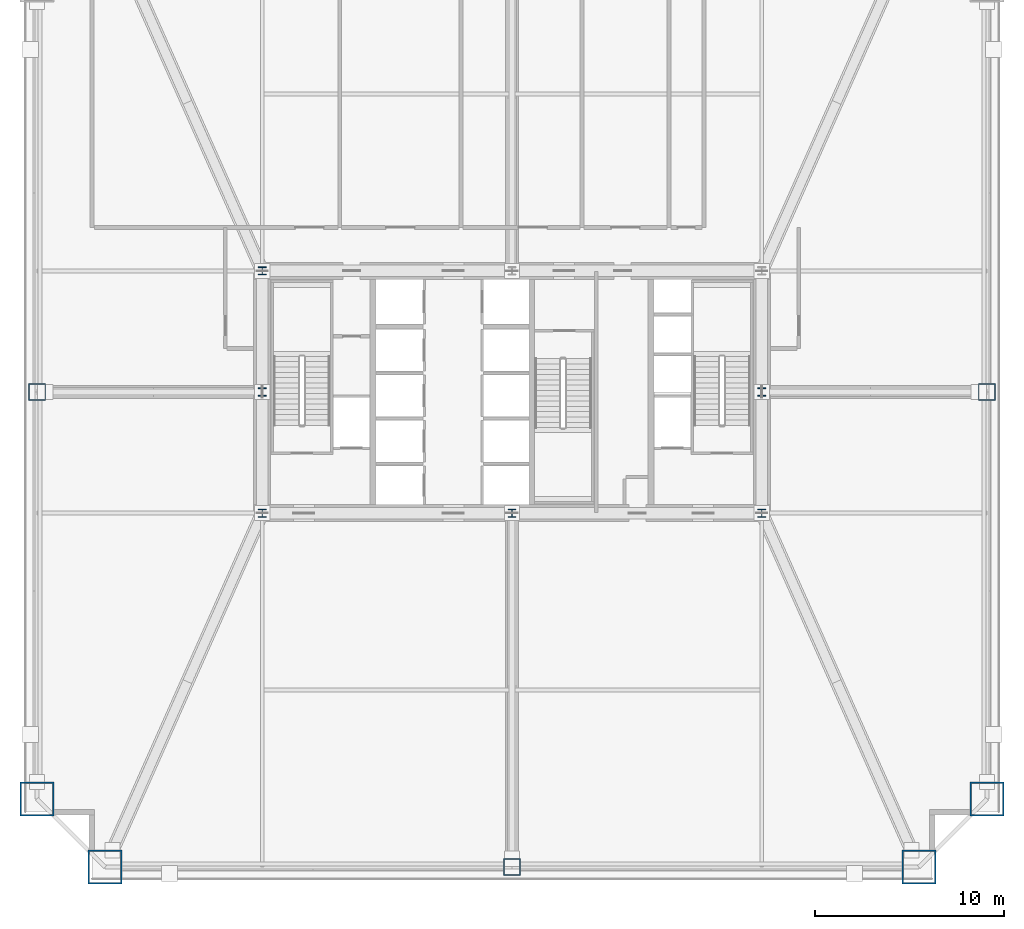
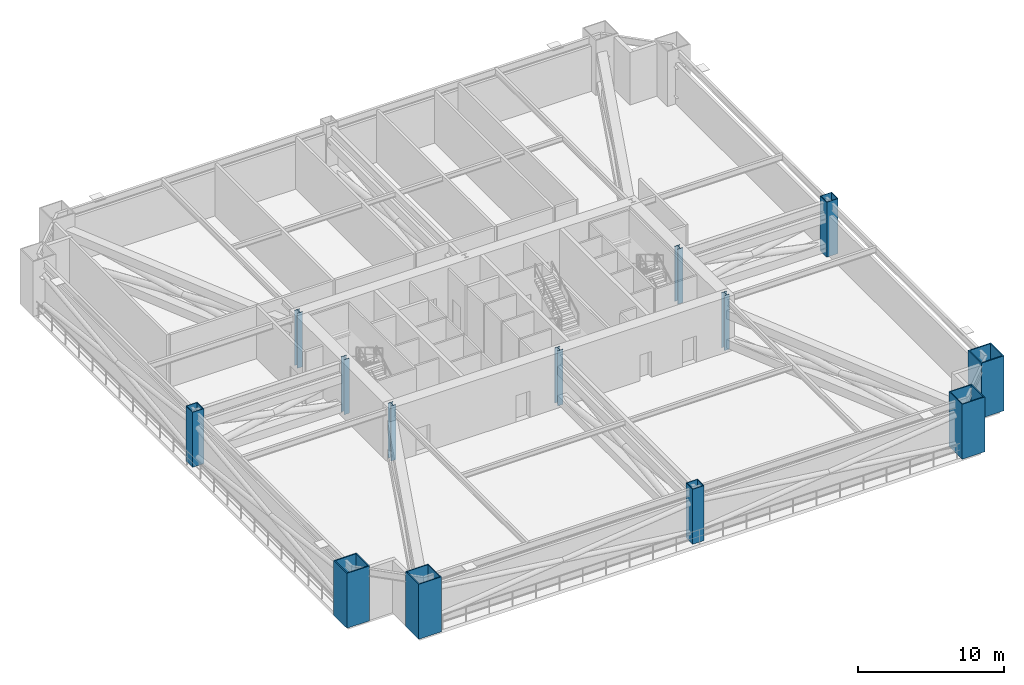
# One storey, part 1 of 11: 13 columns.
"""IFC4 building model written with IfcOpenShell, lengths in metres."""

from ifc_helpers import new_model, si_unit, direction, frame, origin, origin_2d, place, context, subcontext, project, spatial, hollow_rectangle, i_section, extrude, source, transform, mapped, material, material_profile, profile_set, type_object, element, save


model = new_model("IFC4")

# Units and contexts
model_context = context("Model", 3, precision=1e-05, world=origin(), true_north=direction((0.0, 1.0)))
body_context = subcontext(model_context, "Body", "Model", "MODEL_VIEW")
ifc_project = project(units=[si_unit("LENGTHUNIT", "METRE"), si_unit("AREAUNIT", "SQUARE_METRE"), si_unit("VOLUMEUNIT", "CUBIC_METRE"), si_unit("PLANEANGLEUNIT", "RADIAN"), si_unit("MASSUNIT", "GRAM", prefix="KILO"), si_unit("THERMODYNAMICTEMPERATUREUNIT", "KELVIN"), si_unit("POWERUNIT", "WATT")], contexts=[model_context])

# Site, building, storey
site_placement = place(None, origin())
site = spatial("IfcSite", under=ifc_project, at=site_placement, CompositionType="ELEMENT")
building_placement = place(site_placement, origin())
building = spatial("IfcBuilding", under=site, at=building_placement, Name="Yuzanri Waterfront Tower", CompositionType="ELEMENT")
storey_placement = place(building_placement, frame((0.0, 0.0, 41.39990234375)))
storey = spatial("IfcBuildingStorey", under=building, at=storey_placement, Name="L10", CompositionType="ELEMENT", Elevation=41.39990234375)

# Columns
ifc_material_1 = material(Name="Steel Q355B", Category="steel")
ifc_material_profile_1 = material_profile(ifc_material_1, i_section(OverallWidth=0.406982421875, OverallDepth=0.427978515625, WebThickness=0.02001953125, FlangeThickness=0.034912109375, at=origin_2d()), Name="HW 428x407x20x35")
ifc_profile_set_1 = profile_set([ifc_material_profile_1], Name="Steel Q355B")
column_type_1 = type_object("IfcColumnType", Name="Core Post Q355B HW 428x407x20x35", PredefinedType="COLUMN", material=ifc_profile_set_1)
shared_shape_1 = source(origin(), body_context, "Body", "SweptSolid", [
    extrude(i_section(OverallWidth=0.406982421875, OverallDepth=0.427978515625, WebThickness=0.02001953125, FlangeThickness=0.034912109375, at=origin_2d()), origin(), (0.0, 0.0, 1.0), 4.60009765625),
])
for number, where, z_axis, x_axis, name in (
    (1, (23.800048828125, 19.39990234375, 0.0), (0.0, 0.0, 1.0), (1.0, 0.0, 0.0), "L10 Core Boundary Column CP1"),
    (2, (37.0, 19.39990234375, 0.0), (0.0, 0.0, 1.0), (1.0, 0.0, 0.0), "L10 Core Boundary Column CP2"),
    (3, (50.199951171875, 19.39990234375, 0.0), (0.0, 0.0, 1.0), (1.0, 0.0, 0.0), "L10 Core Boundary Column CP3"),
    (4, (23.800048828125, 25.800048828125, 0.0), (0.0, 0.0, 1.0), (1.0, 0.0, 0.0), "L10 Core Boundary Column CP4"),
    (5, (50.199951171875, 25.800048828125, 0.0), (0.0, 0.0, 1.0), (1.0, 0.0, 0.0), "L10 Core Boundary Column CP5"),
    (6, (23.800048828125, 32.199951171875, 0.0), (0.0, 0.0, 1.0), (1.0, 0.0, 0.0), "L10 Core Boundary Column CP6"),
):
    element("IfcColumn", number, at=place(storey_placement, frame(where, z_axis=z_axis, x_axis=x_axis)), inside=storey, type_object=column_type_1, Name=name, PredefinedType="COLUMN", context=body_context, shape_type="MappedRepresentation", body=[
        mapped(shared_shape_1, transform((0.0, 0.0, 0.0), scale=1.0)),
    ])
ifc_material_2 = material(Name="Steel Q420GJC", Category="steel")
ifc_material_profile_2 = material_profile(ifc_material_2, hollow_rectangle(XDim=1.800048828125, YDim=1.800048828125, WallThickness=0.080078125, at=origin_2d()), Name="RHS 1800x1800x80")
ifc_profile_set_2 = profile_set([ifc_material_profile_2], Name="Steel Q420GJC")
column_type_2 = type_object("IfcColumnType", Name="Mega Column Q420GJC RHS 1800x1800x80", PredefinedType="COLUMN", material=ifc_profile_set_2)
shared_shape_2 = source(origin(), body_context, "Body", "SweptSolid", [
    extrude(hollow_rectangle(XDim=1.800048828125, YDim=1.800048828125, WallThickness=0.080078125, at=origin_2d()), origin(), (0.0, 0.0, 1.0), 4.60009765625),
])
for number, where, z_axis, x_axis, name in (
    (7, (15.5, 0.699951171875, 0.0), (0.0, 0.0, 1.0), (1.0, 0.0, 0.0), "L10 Perimeter Mega Column S1"),
    (8, (58.5, 0.699951171875, 0.0), (0.0, 0.0, 1.0), (1.0, 0.0, 0.0), "L10 Perimeter Mega Column S3"),
    (9, (11.89990234375, 4.300048828125, 0.0), (0.0, 0.0, 1.0), (1.0, 0.0, 0.0), "L10 Perimeter Mega Column W1"),
    (10, (62.10009765625, 4.300048828125, 0.0), (0.0, 0.0, 1.0), (1.0, 0.0, 0.0), "L10 Perimeter Mega Column E1"),
):
    element("IfcColumn", number, at=place(storey_placement, frame(where, z_axis=z_axis, x_axis=x_axis)), inside=storey, type_object=column_type_2, Name=name, PredefinedType="COLUMN", context=body_context, shape_type="MappedRepresentation", body=[
        mapped(shared_shape_2, transform((0.0, 0.0, 0.0), scale=1.0)),
    ])
ifc_material_3 = material(Name="Steel Q390GJC", Category="steel")
ifc_material_profile_3 = material_profile(ifc_material_3, hollow_rectangle(XDim=0.89990234375, YDim=0.89990234375, WallThickness=0.0419921875, at=origin_2d()), Name="RHS 900x900x42")
ifc_profile_set_3 = profile_set([ifc_material_profile_3], Name="Steel Q390GJC")
column_type_3 = type_object("IfcColumnType", Name="Frame Column Q390GJC RHS 900x900x42", PredefinedType="COLUMN", material=ifc_profile_set_3)
shared_shape_3 = source(origin(), body_context, "Body", "SweptSolid", [
    extrude(hollow_rectangle(XDim=0.89990234375, YDim=0.89990234375, WallThickness=0.0419921875, at=origin_2d()), origin(), (0.0, 0.0, 1.0), 4.60009765625),
])
for number, where, z_axis, x_axis, name in (
    (11, (37.0, 0.699951171875, 0.0), (0.0, 0.0, 1.0), (1.0, 0.0, 0.0), "L10 Perimeter Frame Column S2"),
    (12, (11.89990234375, 25.800048828125, 0.0), (0.0, 0.0, 1.0), (1.0, 0.0, 0.0), "L10 Perimeter Frame Column W2"),
    (13, (62.10009765625, 25.800048828125, 0.0), (0.0, 0.0, 1.0), (1.0, 0.0, 0.0), "L10 Perimeter Frame Column E2"),
):
    element("IfcColumn", number, at=place(storey_placement, frame(where, z_axis=z_axis, x_axis=x_axis)), inside=storey, type_object=column_type_3, Name=name, PredefinedType="COLUMN", context=body_context, shape_type="MappedRepresentation", body=[
        mapped(shared_shape_3, transform((0.0, 0.0, 0.0), scale=1.0)),
    ])

save(model, "model.ifc")
